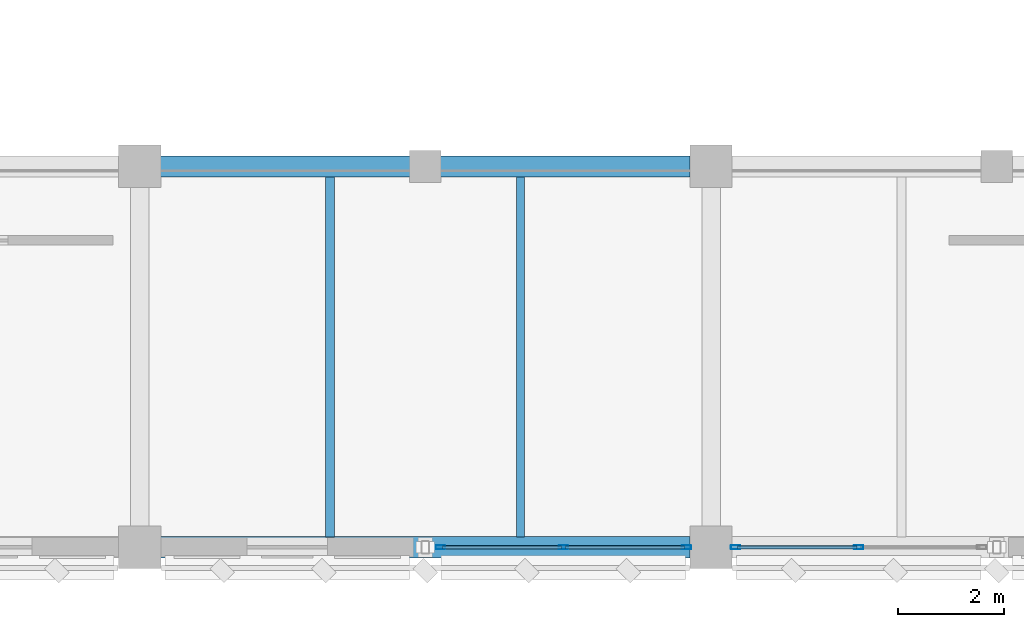
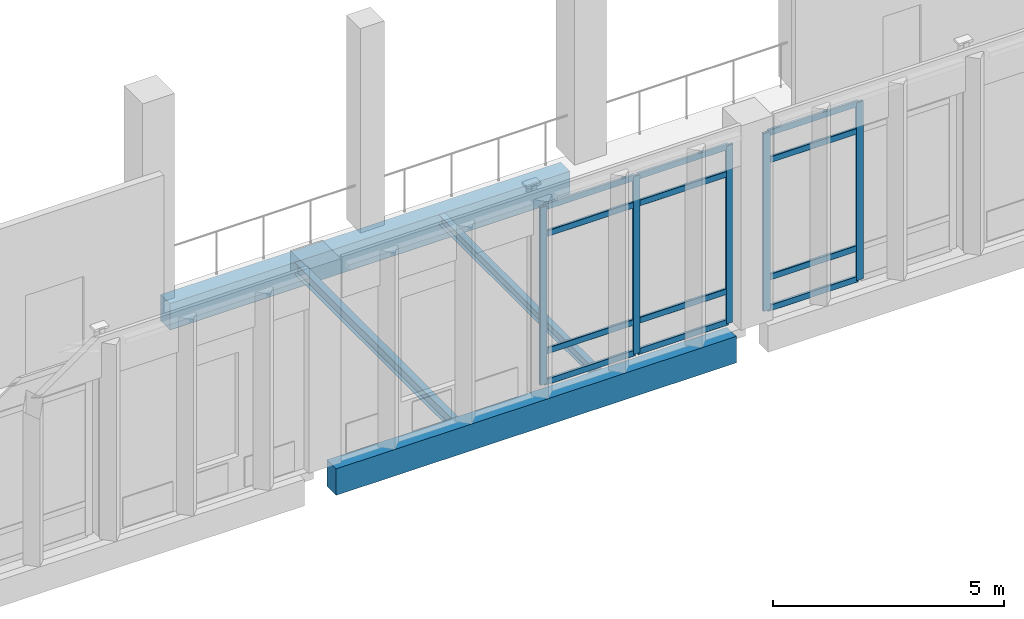
# One storey, part 15 of 180: 17 members, 4 beams, 2 elements without a shape of their own.
"""IFC4 building model written with IfcOpenShell, lengths in metres."""

from ifc_helpers import new_model, si_unit, direction, frame, origin, origin_2d, place, context, subcontext, project, spatial, rectangle, hollow_rectangle, i_section, extrude, material, material_profile, profile_set, type_object, element, aggregate, save


model = new_model("IFC4")

# Units and contexts
model_context = context("Model", 3, precision=1e-05, world=origin(), true_north=direction((0.0, 1.0)))
body_context = subcontext(model_context, "Body", "Model", "MODEL_VIEW")
ifc_project = project(units=[si_unit("LENGTHUNIT", "METRE"), si_unit("AREAUNIT", "SQUARE_METRE"), si_unit("VOLUMEUNIT", "CUBIC_METRE"), si_unit("PLANEANGLEUNIT", "RADIAN"), si_unit("MASSUNIT", "GRAM", prefix="KILO")], contexts=[model_context])

# Site, building, storey
site_placement = place(None, origin())
site = spatial("IfcSite", under=ifc_project, at=site_placement, CompositionType="ELEMENT")
building_placement = place(site_placement, origin())
building = spatial("IfcBuilding", under=site, at=building_placement, Name="Lusvemor Sports Hall", CompositionType="ELEMENT")
storey_placement = place(building_placement, frame((0.0, 0.0, 5.39990234375)))
storey = spatial("IfcBuildingStorey", under=building, at=storey_placement, Name="L01", CompositionType="ELEMENT", Elevation=5.39990234375)

# Curtain wall, members
ifc_material_1 = material(Name="Thermally broken bronze-anodized aluminium", Category="aluminium")
curtain_wall_type = type_object("IfcCurtainWallType", Name="CW_COURT_C", PredefinedType="NOTDEFINED", material=ifc_material_1)
curtain_wall_1_placement = place(storey_placement, origin())
curtain_wall_1 = element("IfcCurtainWall", 1, at=curtain_wall_1_placement, inside=storey, type_object=curtain_wall_type, Name="Curtain Wall CW-V1S-L01-4-2", PredefinedType="NOTDEFINED")
ifc_material_2 = material(Name="Thermally broken bronze-anodized aluminium", Category="aluminium")
ifc_material_profile_1 = material_profile(ifc_material_2, hollow_rectangle(XDim=0.070068359375, YDim=0.179931640625, WallThickness=0.0048828125, InnerFilletRadius=0.0048828125, OuterFilletRadius=0.010009765625, at=origin_2d()), Name="CWMUL180x70x5")
ifc_profile_set_1 = profile_set([ifc_material_profile_1], Name="Thermally broken bronze-anodized aluminium")
member_type_1 = type_object("IfcMemberType", Name="CW_MUL_A", PredefinedType="MULLION", material=ifc_profile_set_1)
member_1_placement = place(storey_placement, frame((53.534912109375, 0.0, 0.0), z_axis=(0.0, 0.0, 1.0), x_axis=(0.0, -1.0, 0.0)))
member_1 = element("IfcMember", 2, at=member_1_placement, type_object=member_type_1, Name="CW03 mullion 1", PredefinedType="MULLION", context=body_context, shape_type="SweptSolid", body=[
    extrude(hollow_rectangle(XDim=0.070068359375, YDim=0.179931640625, WallThickness=0.0048828125, InnerFilletRadius=0.0048828125, OuterFilletRadius=0.010009765625, at=origin_2d()), origin(), (0.0, 0.0, 1.0), 4.7001953125),
])
member_2_placement = place(storey_placement, frame((51.2099609375, 0.0, 0.0), z_axis=(0.0, 0.0, 1.0), x_axis=(0.0, -1.0, 0.0)))
member_2 = element("IfcMember", 3, at=member_2_placement, type_object=member_type_1, Name="CW03 mullion 2", PredefinedType="MULLION", context=body_context, shape_type="SweptSolid", body=[
    extrude(hollow_rectangle(XDim=0.070068359375, YDim=0.179931640625, WallThickness=0.0048828125, InnerFilletRadius=0.0048828125, OuterFilletRadius=0.010009765625, at=origin_2d()), origin(), (0.0, 0.0, 1.0), 4.7001953125),
])
member_3_placement = place(storey_placement, frame((48.885009765625, 0.0, 0.0), z_axis=(0.0, 0.0, 1.0), x_axis=(0.0, -1.0, 0.0)))
member_3 = element("IfcMember", 4, at=member_3_placement, type_object=member_type_1, Name="CW03 mullion 3", PredefinedType="MULLION", context=body_context, shape_type="SweptSolid", body=[
    extrude(hollow_rectangle(XDim=0.070068359375, YDim=0.179931640625, WallThickness=0.0048828125, InnerFilletRadius=0.0048828125, OuterFilletRadius=0.010009765625, at=origin_2d()), origin(), (0.0, 0.0, 1.0), 4.7001953125),
])

curtain_wall_2_placement = place(storey_placement, origin())
curtain_wall_2 = element("IfcCurtainWall", 5, at=curtain_wall_2_placement, inside=storey, type_object=curtain_wall_type, Name="Curtain Wall CW-V1S-L01-5-1", PredefinedType="NOTDEFINED")
member_4_placement = place(storey_placement, frame((56.7900390625, 0.0, 0.0), z_axis=(0.0, 0.0, 1.0), x_axis=(0.0, -1.0, 0.0)))
member_4 = element("IfcMember", 6, at=member_4_placement, type_object=member_type_1, Name="CW03 mullion 2", PredefinedType="MULLION", context=body_context, shape_type="SweptSolid", body=[
    extrude(hollow_rectangle(XDim=0.070068359375, YDim=0.179931640625, WallThickness=0.0048828125, InnerFilletRadius=0.0048828125, OuterFilletRadius=0.010009765625, at=origin_2d()), origin(), (0.0, 0.0, 1.0), 4.7001953125),
])
member_5_placement = place(storey_placement, frame((54.465087890625, 0.0, 0.0), z_axis=(0.0, 0.0, 1.0), x_axis=(0.0, -1.0, 0.0)))
member_5 = element("IfcMember", 7, at=member_5_placement, type_object=member_type_1, Name="CW03 mullion 3", PredefinedType="MULLION", context=body_context, shape_type="SweptSolid", body=[
    extrude(hollow_rectangle(XDim=0.070068359375, YDim=0.179931640625, WallThickness=0.0048828125, InnerFilletRadius=0.0048828125, OuterFilletRadius=0.010009765625, at=origin_2d()), origin(), (0.0, 0.0, 1.0), 4.7001953125),
])

# Member
ifc_material_3 = material(Name="Thermally broken bronze-anodized aluminium", Category="aluminium")
ifc_material_profile_2 = material_profile(ifc_material_3, hollow_rectangle(XDim=0.06494140625, YDim=0.159912109375, WallThickness=0.00390625, InnerFilletRadius=0.00390625, OuterFilletRadius=0.008056640625, at=origin_2d()), Name="CWTRN160x65x4")
ifc_profile_set_2 = profile_set([ifc_material_profile_2], Name="Thermally broken bronze-anodized aluminium")
member_type_2 = type_object("IfcMemberType", Name="CW_TRN_A", PredefinedType="USERDEFINED", material=ifc_profile_set_2)
member_6_placement = place(storey_placement, frame((53.5, 0.0, 0.03271484375), z_axis=(-1.0, 0.0, 0.0), x_axis=(0.0, -1.0, 0.0)))
member_6 = element("IfcMember", 8, at=member_6_placement, type_object=member_type_2, Name="CW03 transom 1.1", ObjectType="TRANSOM", PredefinedType="USERDEFINED", context=body_context, shape_type="SweptSolid", body=[
    extrude(hollow_rectangle(XDim=0.06494140625, YDim=0.159912109375, WallThickness=0.00390625, InnerFilletRadius=0.00390625, OuterFilletRadius=0.008056640625, at=origin_2d()), origin(), (0.0, 0.0, 1.0), 2.2548828125),
])

member_7_placement = place(storey_placement, frame((53.5, 0.0, 0.85009765625), z_axis=(-1.0, 0.0, 0.0), x_axis=(0.0, -1.0, 0.0)))
member_7 = element("IfcMember", 9, at=member_7_placement, type_object=member_type_2, Name="CW03 transom 1.2", ObjectType="TRANSOM", PredefinedType="USERDEFINED", context=body_context, shape_type="SweptSolid", body=[
    extrude(hollow_rectangle(XDim=0.06494140625, YDim=0.159912109375, WallThickness=0.00390625, InnerFilletRadius=0.00390625, OuterFilletRadius=0.008056640625, at=origin_2d()), origin(), (0.0, 0.0, 1.0), 2.2548828125),
])

member_8_placement = place(storey_placement, frame((53.5, 0.0, 3.9501953125), z_axis=(-1.0, 0.0, 0.0), x_axis=(0.0, -1.0, 0.0)))
member_8 = element("IfcMember", 10, at=member_8_placement, type_object=member_type_2, Name="CW03 transom 1.3", ObjectType="TRANSOM", PredefinedType="USERDEFINED", context=body_context, shape_type="SweptSolid", body=[
    extrude(hollow_rectangle(XDim=0.06494140625, YDim=0.159912109375, WallThickness=0.00390625, InnerFilletRadius=0.00390625, OuterFilletRadius=0.008056640625, at=origin_2d()), origin(), (0.0, 0.0, 1.0), 2.2548828125),
])

member_9_placement = place(storey_placement, frame((53.5, 0.0, 4.66748046875), z_axis=(-1.0, 0.0, 0.0), x_axis=(0.0, -1.0, 0.0)))
member_9 = element("IfcMember", 11, at=member_9_placement, type_object=member_type_2, Name="CW03 transom 1.4", ObjectType="TRANSOM", PredefinedType="USERDEFINED", context=body_context, shape_type="SweptSolid", body=[
    extrude(hollow_rectangle(XDim=0.06494140625, YDim=0.159912109375, WallThickness=0.00390625, InnerFilletRadius=0.00390625, OuterFilletRadius=0.008056640625, at=origin_2d()), origin(), (0.0, 0.0, 1.0), 2.2548828125),
])

member_10_placement = place(storey_placement, frame((51.175048828125, 0.0, 0.03271484375), z_axis=(-1.0, 0.0, 0.0), x_axis=(0.0, -1.0, 0.0)))
member_10 = element("IfcMember", 12, at=member_10_placement, type_object=member_type_2, Name="CW03 transom 2.1", ObjectType="TRANSOM", PredefinedType="USERDEFINED", context=body_context, shape_type="SweptSolid", body=[
    extrude(hollow_rectangle(XDim=0.06494140625, YDim=0.159912109375, WallThickness=0.00390625, InnerFilletRadius=0.00390625, OuterFilletRadius=0.008056640625, at=origin_2d()), origin(), (0.0, 0.0, 1.0), 2.255126953125),
])

member_11_placement = place(storey_placement, frame((51.175048828125, 0.0, 0.85009765625), z_axis=(-1.0, 0.0, 0.0), x_axis=(0.0, -1.0, 0.0)))
member_11 = element("IfcMember", 13, at=member_11_placement, type_object=member_type_2, Name="CW03 transom 2.2", ObjectType="TRANSOM", PredefinedType="USERDEFINED", context=body_context, shape_type="SweptSolid", body=[
    extrude(hollow_rectangle(XDim=0.06494140625, YDim=0.159912109375, WallThickness=0.00390625, InnerFilletRadius=0.00390625, OuterFilletRadius=0.008056640625, at=origin_2d()), origin(), (0.0, 0.0, 1.0), 2.255126953125),
])

member_12_placement = place(storey_placement, frame((51.175048828125, 0.0, 3.9501953125), z_axis=(-1.0, 0.0, 0.0), x_axis=(0.0, -1.0, 0.0)))
member_12 = element("IfcMember", 14, at=member_12_placement, type_object=member_type_2, Name="CW03 transom 2.3", ObjectType="TRANSOM", PredefinedType="USERDEFINED", context=body_context, shape_type="SweptSolid", body=[
    extrude(hollow_rectangle(XDim=0.06494140625, YDim=0.159912109375, WallThickness=0.00390625, InnerFilletRadius=0.00390625, OuterFilletRadius=0.008056640625, at=origin_2d()), origin(), (0.0, 0.0, 1.0), 2.255126953125),
])

member_13_placement = place(storey_placement, frame((51.175048828125, 0.0, 4.66748046875), z_axis=(-1.0, 0.0, 0.0), x_axis=(0.0, -1.0, 0.0)))
member_13 = element("IfcMember", 15, at=member_13_placement, type_object=member_type_2, Name="CW03 transom 2.4", ObjectType="TRANSOM", PredefinedType="USERDEFINED", context=body_context, shape_type="SweptSolid", body=[
    extrude(hollow_rectangle(XDim=0.06494140625, YDim=0.159912109375, WallThickness=0.00390625, InnerFilletRadius=0.00390625, OuterFilletRadius=0.008056640625, at=origin_2d()), origin(), (0.0, 0.0, 1.0), 2.255126953125),
])

aggregate(curtain_wall_1, [member_1, member_2, member_3, member_6, member_7, member_8, member_9, member_10, member_11, member_12, member_13])

member_14_placement = place(storey_placement, frame((56.7548828125, 0.0, 0.03271484375), z_axis=(-1.0, 0.0, 0.0), x_axis=(0.0, -1.0, 0.0)))
member_14 = element("IfcMember", 16, at=member_14_placement, type_object=member_type_2, Name="CW03 transom 2.1", ObjectType="TRANSOM", PredefinedType="USERDEFINED", context=body_context, shape_type="SweptSolid", body=[
    extrude(hollow_rectangle(XDim=0.06494140625, YDim=0.159912109375, WallThickness=0.00390625, InnerFilletRadius=0.00390625, OuterFilletRadius=0.008056640625, at=origin_2d()), origin(), (0.0, 0.0, 1.0), 2.2548828125),
])

member_15_placement = place(storey_placement, frame((56.7548828125, 0.0, 0.85009765625), z_axis=(-1.0, 0.0, 0.0), x_axis=(0.0, -1.0, 0.0)))
member_15 = element("IfcMember", 17, at=member_15_placement, type_object=member_type_2, Name="CW03 transom 2.2", ObjectType="TRANSOM", PredefinedType="USERDEFINED", context=body_context, shape_type="SweptSolid", body=[
    extrude(hollow_rectangle(XDim=0.06494140625, YDim=0.159912109375, WallThickness=0.00390625, InnerFilletRadius=0.00390625, OuterFilletRadius=0.008056640625, at=origin_2d()), origin(), (0.0, 0.0, 1.0), 2.2548828125),
])

member_16_placement = place(storey_placement, frame((56.7548828125, 0.0, 3.9501953125), z_axis=(-1.0, 0.0, 0.0), x_axis=(0.0, -1.0, 0.0)))
member_16 = element("IfcMember", 18, at=member_16_placement, type_object=member_type_2, Name="CW03 transom 2.3", ObjectType="TRANSOM", PredefinedType="USERDEFINED", context=body_context, shape_type="SweptSolid", body=[
    extrude(hollow_rectangle(XDim=0.06494140625, YDim=0.159912109375, WallThickness=0.00390625, InnerFilletRadius=0.00390625, OuterFilletRadius=0.008056640625, at=origin_2d()), origin(), (0.0, 0.0, 1.0), 2.2548828125),
])

member_17_placement = place(storey_placement, frame((56.7548828125, 0.0, 4.66748046875), z_axis=(-1.0, 0.0, 0.0), x_axis=(0.0, -1.0, 0.0)))
member_17 = element("IfcMember", 19, at=member_17_placement, type_object=member_type_2, Name="CW03 transom 2.4", ObjectType="TRANSOM", PredefinedType="USERDEFINED", context=body_context, shape_type="SweptSolid", body=[
    extrude(hollow_rectangle(XDim=0.06494140625, YDim=0.159912109375, WallThickness=0.00390625, InnerFilletRadius=0.00390625, OuterFilletRadius=0.008056640625, at=origin_2d()), origin(), (0.0, 0.0, 1.0), 2.2548828125),
])

aggregate(curtain_wall_2, [member_4, member_5, member_14, member_15, member_16, member_17])

# Beams
ifc_material_4 = material(Name="Steel S355", Category="steel")
ifc_material_profile_3 = material_profile(ifc_material_4, i_section(OverallWidth=0.14794921875, OverallDepth=0.26611328125, WebThickness=0.007568359375, FlangeThickness=0.012939453125, FilletRadius=0.012939453125, at=origin_2d()), Name="W250x44.8")
ifc_profile_set_3 = profile_set([ifc_material_profile_3], Name="Steel S355")
beam_type_1 = type_object("IfcBeamType", Name="JOIST_ST_250M", PredefinedType="JOIST", material=ifc_profile_set_3)
beam_1_placement = place(storey_placement, frame((50.39990234375, 0.196044921875, -0.4169921875), z_axis=(0.0, 1.0, 0.0), x_axis=(-1.0, 0.0, 0.0)))
element("IfcBeam", 20, at=beam_1_placement, inside=storey, type_object=beam_type_1, Name="Secondary Joist L01 5-6/A-B #2", PredefinedType="JOIST", context=body_context, shape_type="SweptSolid", body=[
    extrude(i_section(OverallWidth=0.14794921875, OverallDepth=0.26611328125, WebThickness=0.007568359375, FlangeThickness=0.012939453125, FilletRadius=0.012939453125, at=origin_2d()), origin(), (0.0, 0.0, 1.0), 6.807861328125),
])
ifc_material_5 = material(Name="Steel S355", Category="steel")
ifc_material_profile_4 = material_profile(ifc_material_5, i_section(OverallWidth=0.1669921875, OverallDepth=0.31689453125, WebThickness=0.007568359375, FlangeThickness=0.01318359375, FilletRadius=0.014892578125, at=origin_2d()), Name="W310x52.0")
ifc_profile_set_4 = profile_set([ifc_material_profile_4], Name="Steel S355")
beam_type_2 = type_object("IfcBeamType", Name="JOIST_ST_310M", PredefinedType="JOIST", material=ifc_profile_set_4)
beam_2_placement = place(storey_placement, frame((46.800048828125, 0.196044921875, -0.4423828125), z_axis=(0.0, 1.0, 0.0), x_axis=(-1.0, 0.0, 0.0)))
element("IfcBeam", 21, at=beam_2_placement, inside=storey, type_object=beam_type_2, Name="Secondary Joist L01 5-6/A-B #1", PredefinedType="JOIST", context=body_context, shape_type="SweptSolid", body=[
    extrude(i_section(OverallWidth=0.1669921875, OverallDepth=0.31689453125, WebThickness=0.007568359375, FlangeThickness=0.01318359375, FilletRadius=0.014892578125, at=origin_2d()), origin(), (0.0, 0.0, 1.0), 6.807861328125),
])
ifc_material_6 = material(Name="Concrete C40/50", Category="concrete")
ifc_material_profile_5 = material_profile(ifc_material_6, rectangle(XDim=0.39990234375, YDim=0.699951171875, at=origin_2d()), Name="RC400x700")
ifc_profile_set_5 = profile_set([ifc_material_profile_5], Name="Concrete C40/50")
beam_type_3 = type_object("IfcBeamType", Name="SPAND_EXT_700", PredefinedType="SPANDREL", material=ifc_profile_set_5)
for number, where, z_axis, x_axis, name in (
    (22, (43.595947265625, 0.0, -0.6298828125), (1.0, 0.0, 0.0), (0.0, 1.0, 0.0), "Beam L01 A:5-6"),
    (23, (43.595947265625, 7.199951171875, -0.6298828125), (1.0, 0.0, 0.0), (0.0, 1.0, 0.0), "Beam L01 B:5-6"),
):
    element("IfcBeam", number, at=place(storey_placement, frame(where, z_axis=z_axis, x_axis=x_axis)), inside=storey, type_object=beam_type_3, Name=name, PredefinedType="SPANDREL", context=body_context, shape_type="SweptSolid", body=[
        extrude(rectangle(XDim=0.39990234375, YDim=0.699951171875, at=origin_2d()), origin(), (0.0, 0.0, 1.0), 10.008056640625),
    ])

save(model, "model.ifc")
